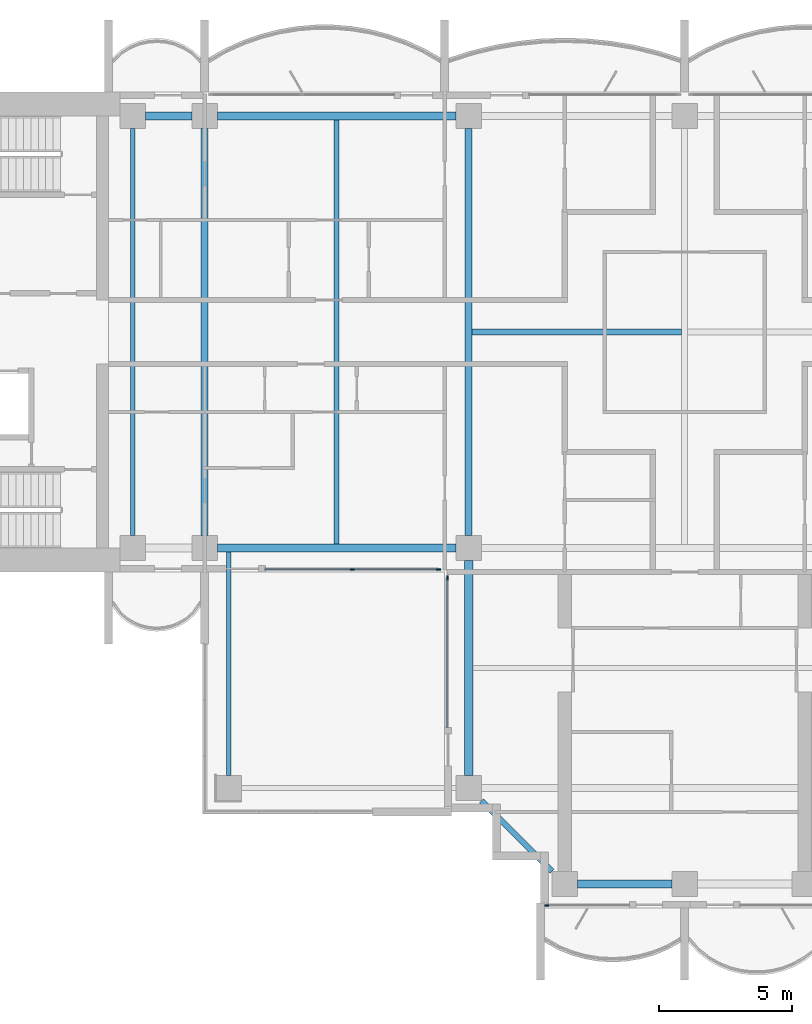
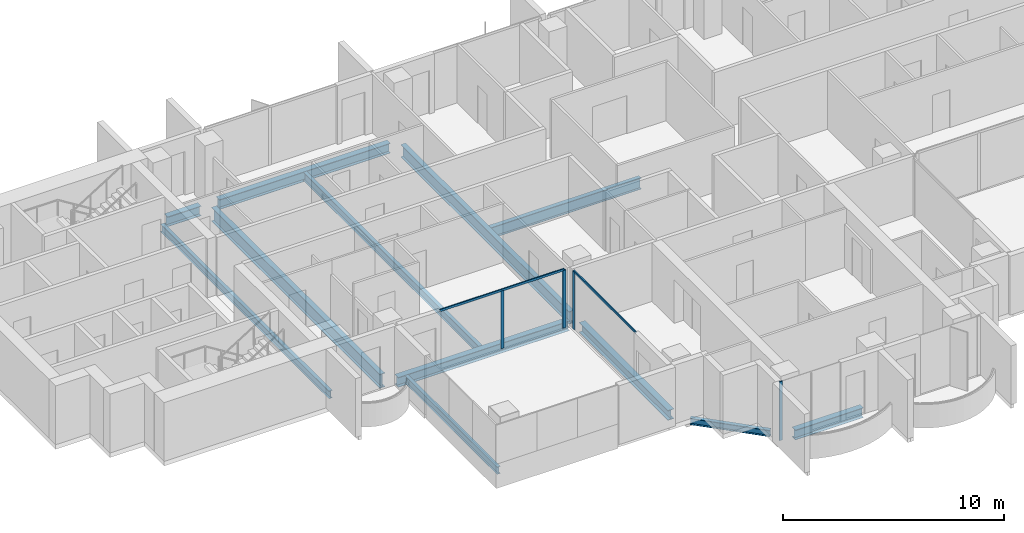
# One storey, part 2 of 17: 12 beams, 6 members, 3 elements without a shape of their own.
"""IFC4 building model written with IfcOpenShell, lengths in metres."""

from ifc_helpers import new_model, si_unit, direction, frame, origin, origin_2d, place, context, subcontext, project, spatial, rectangle, i_section, extrude, material, material_profile, profile_set, type_object, element, aggregate, save


model = new_model("IFC4")

# Units and contexts
model_context = context("Model", 3, precision=1e-05, world=origin(), true_north=direction((0.0, 1.0)))
body_context = subcontext(model_context, "Body", "Model", "MODEL_VIEW")
ifc_project = project(units=[si_unit("LENGTHUNIT", "METRE"), si_unit("AREAUNIT", "SQUARE_METRE"), si_unit("VOLUMEUNIT", "CUBIC_METRE"), si_unit("PLANEANGLEUNIT", "RADIAN"), si_unit("MASSUNIT", "GRAM", prefix="KILO")], contexts=[model_context])

# Site, building, storey
site_placement = place(None, origin())
site = spatial("IfcSite", under=ifc_project, at=site_placement, CompositionType="ELEMENT")
building_placement = place(site_placement, origin())
building = spatial("IfcBuilding", under=site, at=building_placement, Name="Perihelion Cross Residences", CompositionType="ELEMENT")
storey_placement = place(building_placement, frame((0.0, 0.0, 201.60009765625)))
storey = spatial("IfcBuildingStorey", under=building, at=storey_placement, Name="L50", CompositionType="ELEMENT", Elevation=201.60009765625)

# Curtain wall, members
ifc_material_1 = material(Name="Bronze anodised aluminium, tinted glazing", Category="aluminium")
curtain_wall_type = type_object("IfcCurtainWallType", Name="CW1", PredefinedType="NOTDEFINED", material=ifc_material_1)
curtain_wall_1_placement = place(storey_placement, origin())
curtain_wall_1 = element("IfcCurtainWall", 1, at=curtain_wall_1_placement, inside=storey, type_object=curtain_wall_type, Name="Curtain wall CW1 L50 west side south bay 2", PredefinedType="NOTDEFINED")
ifc_material_2 = material(Name="Bronze anodised aluminium", Category="aluminium")
ifc_material_profile_1 = material_profile(ifc_material_2, rectangle(XDim=0.06005859375, YDim=0.159912109375, at=origin_2d()), Name="CW1 mullion")
ifc_profile_set_1 = profile_set([ifc_material_profile_1], Name="Bronze anodised aluminium")
member_type_1 = type_object("IfcMemberType", Name="CW1 mullion", PredefinedType="MULLION", material=ifc_profile_set_1)
member_1_placement = place(storey_placement, frame((-12.46240234375, -8.89990234375, 0.0), z_axis=(0.0, 0.0, 1.0), x_axis=(0.0, 1.0, 0.0)))
member_1 = element("IfcMember", 2, at=member_1_placement, type_object=member_type_1, Name="CW1 mullion 2", PredefinedType="MULLION", context=body_context, shape_type="SweptSolid", body=[
    extrude(rectangle(XDim=0.06005859375, YDim=0.159912109375, at=origin_2d()), origin(), (0.0, 0.0, 1.0), 3.18994140625),
])
member_2_placement = place(storey_placement, frame((-9.22998046875, -8.89990234375, 0.0), z_axis=(0.0, 0.0, 1.0), x_axis=(0.0, 1.0, 0.0)))
member_2 = element("IfcMember", 3, at=member_2_placement, type_object=member_type_1, Name="CW1 mullion 3", PredefinedType="MULLION", context=body_context, shape_type="SweptSolid", body=[
    extrude(rectangle(XDim=0.06005859375, YDim=0.159912109375, at=origin_2d()), origin(), (0.0, 0.0, 1.0), 3.18994140625),
])

# Curtain wall, member
curtain_wall_2_placement = place(storey_placement, origin())
curtain_wall_2 = element("IfcCurtainWall", 4, at=curtain_wall_2_placement, inside=storey, type_object=curtain_wall_type, Name="Curtain wall CW1 L50 south side west bay 1", PredefinedType="NOTDEFINED")
member_3_placement = place(storey_placement, frame((-8.89990234375, -9.22998046875, 0.0), z_axis=(0.0, 0.0, 1.0), x_axis=(1.0, 0.0, 0.0)))
member_3 = element("IfcMember", 5, at=member_3_placement, type_object=member_type_1, Name="CW1 mullion 1", PredefinedType="MULLION", context=body_context, shape_type="SweptSolid", body=[
    extrude(rectangle(XDim=0.06005859375, YDim=0.159912109375, at=origin_2d()), origin(), (0.0, 0.0, 1.0), 3.18994140625),
])

curtain_wall_3_placement = place(storey_placement, origin())
curtain_wall_3 = element("IfcCurtainWall", 6, at=curtain_wall_3_placement, inside=storey, type_object=curtain_wall_type, Name="Curtain wall CW1 L50 south tip south bay 1", PredefinedType="NOTDEFINED")
member_4_placement = place(storey_placement, frame((-5.169921875, -21.5, 0.0), z_axis=(0.0, 0.0, 1.0), x_axis=(0.0, 1.0, 0.0)))
member_4 = element("IfcMember", 7, at=member_4_placement, type_object=member_type_1, Name="CW1 mullion 1", PredefinedType="MULLION", context=body_context, shape_type="SweptSolid", body=[
    extrude(rectangle(XDim=0.06005859375, YDim=0.159912109375, at=origin_2d()), origin(), (0.0, 0.0, 1.0), 3.25),
])
aggregate(curtain_wall_3, [member_4])

# Member
ifc_material_3 = material(Name="Bronze anodised aluminium", Category="aluminium")
ifc_material_profile_2 = material_profile(ifc_material_3, rectangle(XDim=0.06005859375, YDim=0.1201171875, at=origin_2d()), Name="CW1 transom")
ifc_profile_set_2 = profile_set([ifc_material_profile_2], Name="Bronze anodised aluminium")
member_type_2 = type_object("IfcMemberType", Name="CW1 transom", PredefinedType="USERDEFINED", material=ifc_profile_set_2)
member_5_placement = place(storey_placement, frame((-15.72509765625, -8.89990234375, 3.219970703125), z_axis=(1.0, 0.0, 0.0), x_axis=(0.0, 1.0, 0.0)))
member_5 = element("IfcMember", 8, at=member_5_placement, type_object=member_type_2, Name="CW1 head transom", ObjectType="TRANSOM", PredefinedType="USERDEFINED", context=body_context, shape_type="SweptSolid", body=[
    extrude(rectangle(XDim=0.06005859375, YDim=0.1201171875, at=origin_2d()), origin(), (0.0, 0.0, 1.0), 6.4951171875),
])

aggregate(curtain_wall_1, [member_1, member_2, member_5])

member_6_placement = place(storey_placement, frame((-8.89990234375, -9.22998046875, 3.219970703125), z_axis=(0.0, -1.0, 0.0), x_axis=(1.0, 0.0, 0.0)))
member_6 = element("IfcMember", 9, at=member_6_placement, type_object=member_type_2, Name="CW1 head transom", ObjectType="TRANSOM", PredefinedType="USERDEFINED", context=body_context, shape_type="SweptSolid", body=[
    extrude(rectangle(XDim=0.06005859375, YDim=0.1201171875, at=origin_2d()), origin(), (0.0, 0.0, 1.0), 5.594970703125),
])

aggregate(curtain_wall_2, [member_3, member_6])

# Beams
ifc_material_4 = material(Name="Steel S355", Category="steel")
ifc_material_profile_3 = material_profile(ifc_material_4, i_section(OverallWidth=0.177978515625, OverallDepth=0.406005859375, WebThickness=0.0078125, FlangeThickness=0.0126953125, at=origin_2d()), Name="W410x60")
ifc_profile_set_3 = profile_set([ifc_material_profile_3], Name="Steel S355")
beam_type_1 = type_object("IfcBeamType", Name="Core edge beam W410x60", PredefinedType="BEAM", material=ifc_profile_set_3)
beam_1_placement = place(storey_placement, frame((-17.10009765625, -8.256103515625, -0.453125), z_axis=(0.0, -1.0, 0.0), x_axis=(1.0, 0.0, 0.0)))
element("IfcBeam", 10, at=beam_1_placement, inside=storey, type_object=beam_type_1, Name="Core edge beam TB2 L50 corner no. 1", PredefinedType="BEAM", context=body_context, shape_type="SweptSolid", body=[
    extrude(i_section(OverallWidth=0.177978515625, OverallDepth=0.406005859375, WebThickness=0.0078125, FlangeThickness=0.0126953125, at=origin_2d()), origin(), (0.0, 0.0, 1.0), 8.368896484375),
])
ifc_material_5 = material(Name="Steel S355", Category="steel")
ifc_material_profile_4 = material_profile(ifc_material_5, i_section(OverallWidth=0.180908203125, OverallDepth=0.4169921875, WebThickness=0.010986328125, FlangeThickness=0.018310546875, at=origin_2d()), Name="W410x85")
ifc_profile_set_4 = profile_set([ifc_material_profile_4], Name="Steel S355")
beam_type_2 = type_object("IfcBeamType", Name="Core edge beam W410x85", PredefinedType="BEAM", material=ifc_profile_set_4)
beam_2_placement = place(storey_placement, frame((-20.699951171875, -7.625, -0.45849609375), z_axis=(0.0, 1.0, 0.0), x_axis=(-1.0, 0.0, 0.0)))
element("IfcBeam", 11, at=beam_2_placement, inside=storey, type_object=beam_type_2, Name="Core edge beam TB6 L50 no. 1", PredefinedType="BEAM", context=body_context, shape_type="SweptSolid", body=[
    extrude(i_section(OverallWidth=0.180908203125, OverallDepth=0.4169921875, WebThickness=0.010986328125, FlangeThickness=0.018310546875, at=origin_2d()), origin(), (0.0, 0.0, 1.0), 15.25),
])
ifc_material_6 = material(Name="Steel S355", Category="steel")
ifc_material_profile_5 = material_profile(ifc_material_6, i_section(OverallWidth=0.31201171875, OverallDepth=0.5439453125, WebThickness=0.0126953125, FlangeThickness=0.020263671875, at=origin_2d()), Name="W530x150")
ifc_profile_set_5 = profile_set([ifc_material_profile_5], Name="Steel S355")
beam_type_3 = type_object("IfcBeamType", Name="Edge beam W530x150", PredefinedType="SPANDREL", material=ifc_profile_set_5)
beam_3_placement = place(storey_placement, frame((-8.574951171875, 8.10009765625, -0.522216796875), z_axis=(-1.0, 0.0, 0.0), x_axis=(0.0, -1.0, 0.0)))
element("IfcBeam", 12, at=beam_3_placement, inside=storey, type_object=beam_type_3, Name="Edge beam SB4 L50 no. 6", PredefinedType="SPANDREL", context=body_context, shape_type="SweptSolid", body=[
    extrude(i_section(OverallWidth=0.31201171875, OverallDepth=0.5439453125, WebThickness=0.0126953125, FlangeThickness=0.020263671875, at=origin_2d()), origin(), (0.0, 0.0, 1.0), 8.949951171875),
])
beam_4_placement = place(storey_placement, frame((-18.47509765625, 8.10009765625, -0.522216796875), z_axis=(-1.0, 0.0, 0.0), x_axis=(0.0, -1.0, 0.0)))
element("IfcBeam", 13, at=beam_4_placement, inside=storey, type_object=beam_type_3, Name="Edge beam SB4 L50 no. 2", PredefinedType="SPANDREL", context=body_context, shape_type="SweptSolid", body=[
    extrude(i_section(OverallWidth=0.31201171875, OverallDepth=0.5439453125, WebThickness=0.0126953125, FlangeThickness=0.020263671875, at=origin_2d()), origin(), (0.0, 0.0, 1.0), 1.75),
])
beam_5_placement = place(storey_placement, frame((-17.52490234375, -8.10009765625, -0.522216796875), z_axis=(1.0, 0.0, 0.0), x_axis=(0.0, 1.0, 0.0)))
element("IfcBeam", 14, at=beam_5_placement, inside=storey, type_object=beam_type_3, Name="Edge beam SB4 L50 no. 1", PredefinedType="SPANDREL", context=body_context, shape_type="SweptSolid", body=[
    extrude(i_section(OverallWidth=0.31201171875, OverallDepth=0.5439453125, WebThickness=0.0126953125, FlangeThickness=0.020263671875, at=origin_2d()), origin(), (0.0, 0.0, 1.0), 8.949951171875),
])
beam_6_placement = place(storey_placement, frame((-8.10009765625, -8.574951171875, -0.522216796875), z_axis=(0.0, -1.0, 0.0), x_axis=(1.0, 0.0, 0.0)))
element("IfcBeam", 15, at=beam_6_placement, inside=storey, type_object=beam_type_3, Name="Edge beam SB4 L50 no. 5", PredefinedType="SPANDREL", context=body_context, shape_type="SweptSolid", body=[
    extrude(i_section(OverallWidth=0.31201171875, OverallDepth=0.5439453125, WebThickness=0.0126953125, FlangeThickness=0.020263671875, at=origin_2d()), origin(), (0.0, 0.0, 1.0), 8.050048828125),
])
beam_7_placement = place(storey_placement, frame((-4.02490234375, -20.699951171875, -0.522216796875), z_axis=(1.0, 0.0, 0.0), x_axis=(0.0, 1.0, 0.0)))
element("IfcBeam", 16, at=beam_7_placement, inside=storey, type_object=beam_type_3, Name="Edge beam SB4 L50 no. 4", PredefinedType="SPANDREL", context=body_context, shape_type="SweptSolid", body=[
    extrude(i_section(OverallWidth=0.31201171875, OverallDepth=0.5439453125, WebThickness=0.0126953125, FlangeThickness=0.020263671875, at=origin_2d()), origin(), (0.0, 0.0, 1.0), 3.5498046875),
])
ifc_material_7 = material(Name="Steel S355", Category="steel")
ifc_material_profile_6 = material_profile(ifc_material_7, i_section(OverallWidth=0.26708984375, OverallDepth=0.77001953125, WebThickness=0.015625, FlangeThickness=0.025390625, at=origin_2d()), Name="W760x196")
ifc_profile_set_6 = profile_set([ifc_material_profile_6], Name="Steel S355")
beam_type_4 = type_object("IfcBeamType", Name="Floor girder W760x196", PredefinedType="BEAM", material=ifc_profile_set_6)
beam_8_placement = place(storey_placement, frame((-18.0, -7.625, -0.635009765625), z_axis=(0.0, 1.0, 0.0), x_axis=(-1.0, 0.0, 0.0)))
element("IfcBeam", 17, at=beam_8_placement, inside=storey, type_object=beam_type_4, Name="Girder G4 L50 no. 1", PredefinedType="BEAM", context=body_context, shape_type="SweptSolid", body=[
    extrude(i_section(OverallWidth=0.26708984375, OverallDepth=0.77001953125, WebThickness=0.015625, FlangeThickness=0.025390625, at=origin_2d()), origin(), (0.0, 0.0, 1.0), 15.25),
])
ifc_material_8 = material(Name="Steel S355", Category="steel")
ifc_material_profile_7 = material_profile(ifc_material_8, i_section(OverallWidth=0.19091796875, OverallDepth=0.45703125, WebThickness=0.009033203125, FlangeThickness=0.014404296875, at=origin_2d()), Name="W460x74")
ifc_profile_set_7 = profile_set([ifc_material_profile_7], Name="Steel S355")
beam_type_5 = type_object("IfcBeamType", Name="Floor joist W460x74", PredefinedType="JOIST", material=ifc_profile_set_7)
beam_9_placement = place(storey_placement, frame((-13.050048828125, -7.944091796875, -0.478515625), z_axis=(0.0, 1.0, 0.0), x_axis=(-1.0, 0.0, 0.0)))
element("IfcBeam", 18, at=beam_9_placement, inside=storey, type_object=beam_type_5, Name="Joist J5 L50 no. 1", PredefinedType="JOIST", context=body_context, shape_type="SweptSolid", body=[
    extrude(i_section(OverallWidth=0.19091796875, OverallDepth=0.45703125, WebThickness=0.009033203125, FlangeThickness=0.014404296875, at=origin_2d()), origin(), (0.0, 0.0, 1.0), 15.88818359375),
])
ifc_material_9 = material(Name="Steel S355", Category="steel")
ifc_material_profile_8 = material_profile(ifc_material_9, i_section(OverallWidth=0.22900390625, OverallDepth=0.612060546875, WebThickness=0.011962890625, FlangeThickness=0.01953125, at=origin_2d()), Name="W610x125")
ifc_profile_set_8 = profile_set([ifc_material_profile_8], Name="Steel S355")
beam_type_6 = type_object("IfcBeamType", Name="Hub cross beam W610x125", PredefinedType="BEAM", material=ifc_profile_set_8)
beam_10_placement = place(storey_placement, frame((-7.971435546875, 0.0, -0.55615234375), z_axis=(1.0, 0.0, 0.0), x_axis=(0.0, 1.0, 0.0)))
element("IfcBeam", 19, at=beam_10_placement, inside=storey, type_object=beam_type_6, Name="Hub cross beam XB4 L50 1 no. 1", PredefinedType="BEAM", context=body_context, shape_type="SweptSolid", body=[
    extrude(i_section(OverallWidth=0.22900390625, OverallDepth=0.612060546875, WebThickness=0.011962890625, FlangeThickness=0.01953125, at=origin_2d()), origin(), (0.0, 0.0, 1.0), 7.85693359375),
])
ifc_material_10 = material(Name="Steel S355", Category="steel")
ifc_material_profile_9 = material_profile(ifc_material_10, i_section(OverallWidth=0.257080078125, OverallDepth=0.693115234375, WebThickness=0.014404296875, FlangeThickness=0.023681640625, at=origin_2d()), Name="W690x170")
ifc_profile_set_9 = profile_set([ifc_material_profile_9], Name="Steel S355")
beam_type_7 = type_object("IfcBeamType", Name="Hub ring girder W690x170", PredefinedType="BEAM", material=ifc_profile_set_9)
beam_11_placement = place(storey_placement, frame((-8.10009765625, 7.625, -0.5966796875), z_axis=(0.0, -1.0, 0.0), x_axis=(1.0, 0.0, 0.0)))
element("IfcBeam", 20, at=beam_11_placement, inside=storey, type_object=beam_type_7, Name="Hub ring girder RG4 L50 no. 2", PredefinedType="BEAM", context=body_context, shape_type="SweptSolid", body=[
    extrude(i_section(OverallWidth=0.257080078125, OverallDepth=0.693115234375, WebThickness=0.014404296875, FlangeThickness=0.023681640625, at=origin_2d()), origin(), (0.0, 0.0, 1.0), 15.25),
])
ifc_material_11 = material(Name="Steel S355", Category="steel")
ifc_material_profile_10 = material_profile(ifc_material_11, i_section(OverallWidth=0.205078125, OverallDepth=0.35302734375, WebThickness=0.009521484375, FlangeThickness=0.016845703125, at=origin_2d()), Name="W360x79")
ifc_profile_set_10 = profile_set([ifc_material_profile_10], Name="Steel S355")
beam_type_8 = type_object("IfcBeamType", Name="Serration edge beam W360x79", PredefinedType="BEAM", material=ifc_profile_set_10)
beam_12_placement = place(storey_placement, frame((-7.625, -17.574951171875, -0.426513671875), z_axis=(0.70707420838, -0.707139352493, 0.0), x_axis=(0.707139352493, 0.70707420838, 0.0)))
element("IfcBeam", 21, at=beam_12_placement, inside=storey, type_object=beam_type_8, Name="Serration edge beam EB4 L50 no. 1", PredefinedType="BEAM", context=body_context, shape_type="SweptSolid", body=[
    extrude(i_section(OverallWidth=0.205078125, OverallDepth=0.35302734375, WebThickness=0.009521484375, FlangeThickness=0.016845703125, at=origin_2d()), origin(), (0.0, 0.0, 1.0), 3.747802734375),
])

save(model, "model.ifc")
